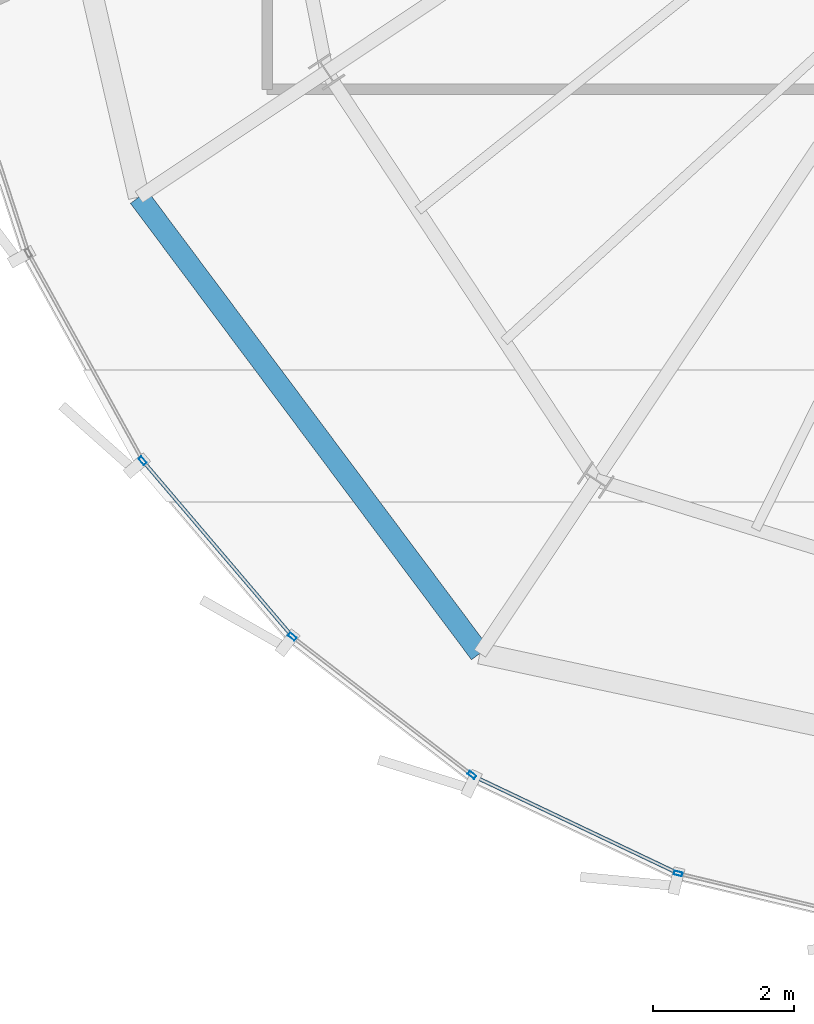
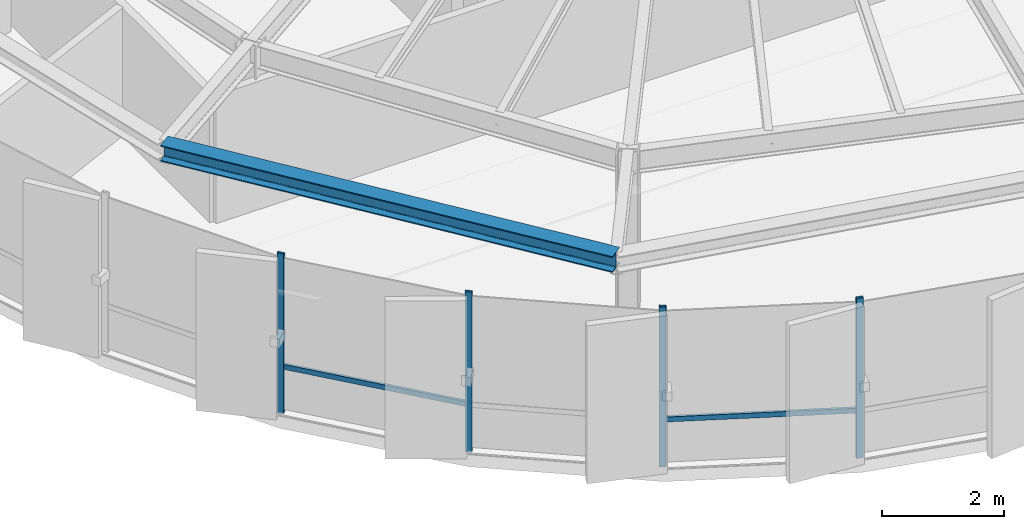
# One storey, part 2 of 31: 6 members, 1 beam, 2 elements without a shape of their own.
"""IFC4 building model written with IfcOpenShell, lengths in metres."""

import ifcopenshell
import ifcopenshell.guid

model = None  # the IFC model being written
_history = None  # IfcOwnerHistory: only IFC2X3 demands one
_inside = {}  # id of a spatial element -> (the spatial element, [elements in it])
_under = {}  # id of a project, library or spatial element -> (it, [spatial elements below it])
_declared = {}  # id of a project -> (the project, [libraries it declares])
_typed = {}  # id of a type object -> (the type object, [elements of that type])
_made_of = {}  # id of a material, layer set ... -> (it, [elements and type objects made of it])


def new_model(schema):
    """Start an empty IFC model of exactly this schema.

    Asked for "IFC4X3", IfcOpenShell would pick the latest addendum, in which some entities
    have other attributes; the version numbers below select the first issue.
    IFC2X3 requires an IfcOwnerHistory on every rooted entity: one is made here for all.
    """
    global model, _history
    if schema == "IFC4X3":
        model = ifcopenshell.file(schema_version=(4, 3, 0, 0))
    else:
        model = ifcopenshell.file(schema=schema)
    _inside.clear()
    _under.clear()
    _declared.clear()
    _typed.clear()
    _made_of.clear()
    _history = None
    if model.schema == "IFC2X3":
        org = make("IfcOrganization", Name="unknown")
        user = make(
            "IfcPersonAndOrganization",
            ThePerson=make("IfcPerson", FamilyName="unknown"),
            TheOrganization=org,
        )
        app = make(
            "IfcApplication",
            ApplicationDeveloper=org,
            Version="unknown",
            ApplicationFullName="unknown",
            ApplicationIdentifier="unknown",
        )
        _history = make(
            "IfcOwnerHistory",
            OwningUser=user,
            OwningApplication=app,
            ChangeAction="ADDED",
            CreationDate=0,
        )
    return model


def make(cls, **values):
    """One entity of the class cls with the attributes given. An attribute that is None is left unset."""
    return model.create_entity(
        cls, **{name: value for name, value in values.items() if value is not None}
    )


def rooted(cls, **values):
    """An entity with a GlobalId (a new one), such as an element, a storey or a relation."""
    return make(cls, GlobalId=ifcopenshell.guid.new(), OwnerHistory=_history, **values)


def si_unit(unit_type, name, prefix=None):
    """IfcSIUnit, for example si_unit("LENGTHUNIT", "METRE", prefix="MILLI")."""
    return make("IfcSIUnit", UnitType=unit_type, Prefix=prefix, Name=name)


def assignment(units):
    """IfcUnitAssignment: the units of a project."""
    return None if units is None else make("IfcUnitAssignment", Units=units)


def point(xyz):
    """IfcCartesianPoint."""
    return None if xyz is None else make("IfcCartesianPoint", Coordinates=xyz)


def direction(xyz):
    """IfcDirection."""
    return None if xyz is None else make("IfcDirection", DirectionRatios=xyz)


def frame(location, z_axis=None, x_axis=None):
    """IfcAxis2Placement3D, a coordinate frame: its origin and axes. An axis left out is left unset."""
    return make(
        "IfcAxis2Placement3D",
        Location=point(location),
        Axis=direction(z_axis),
        RefDirection=direction(x_axis),
    )


def frame_2d(location, x_axis=None):
    """IfcAxis2Placement2D, a coordinate frame in the plane: its origin and x axis."""
    return make(
        "IfcAxis2Placement2D", Location=point(location), RefDirection=direction(x_axis)
    )


def origin():
    """The frame at (0, 0, 0) with its axes left unset."""
    return frame((0.0, 0.0, 0.0))


def origin_2d():
    """The frame at (0, 0) in the plane with its x axis left unset."""
    return frame_2d((0.0, 0.0))


def place(relative_to, where):
    """IfcLocalPlacement: puts the frame where relative to a parent placement (None: the world)."""
    return make(
        "IfcLocalPlacement", PlacementRelTo=relative_to, RelativePlacement=where
    )


def context(
    kind, dimensions, precision=None, world=None, true_north=None, identifier=None
):
    """IfcGeometricRepresentationContext, for example the 3D "Model" context."""
    return make(
        "IfcGeometricRepresentationContext",
        ContextIdentifier=identifier,
        ContextType=kind,
        CoordinateSpaceDimension=dimensions,
        Precision=precision,
        WorldCoordinateSystem=world,
        TrueNorth=true_north,
    )


def subcontext(parent, identifier, kind, view, scale=None):
    """IfcGeometricRepresentationSubContext, for example "Body" below "Model"."""
    return make(
        "IfcGeometricRepresentationSubContext",
        ContextIdentifier=identifier,
        ContextType=kind,
        ParentContext=parent,
        TargetScale=scale,
        TargetView=view,
    )


def project(units=None, contexts=None):
    """IfcProject with its units and contexts."""
    return rooted(
        "IfcProject",
        Name="project",
        RepresentationContexts=contexts,
        UnitsInContext=assignment(units),
    )


def spatial(cls, under=None, at=None, **own):
    """A site, building, storey or space (cls), placed at a placement, below another one or the project."""
    s = rooted(cls, ObjectPlacement=at, **own)
    if under is not None:
        _under.setdefault(under.id(), (under, []))[1].append(s)
    return s


def profile(cls, at=None, kind="AREA", **sizes):
    """A parametric profile (cls). Its sizes go by their IFC names, for example OverallWidth=200.0."""
    return make(cls, ProfileType=kind, Position=at, **sizes)


def hollow_rectangle(**sizes):
    """IfcRectangleHollowProfileDef."""
    return profile("IfcRectangleHollowProfileDef", **sizes)


def i_section(**sizes):
    """IfcIShapeProfileDef."""
    return profile("IfcIShapeProfileDef", **sizes)


def extrude(swept, where, along, depth):
    """IfcExtrudedAreaSolid: the profile swept, set in the frame where, extruded along a direction by depth."""
    return make(
        "IfcExtrudedAreaSolid",
        SweptArea=swept,
        Position=where,
        ExtrudedDirection=direction(along),
        Depth=depth,
    )


def shape(context_of_items, identifier, shape_type, items):
    """IfcShapeRepresentation: the items that make up one representation, for example the "Body"."""
    return make(
        "IfcShapeRepresentation",
        ContextOfItems=context_of_items,
        RepresentationIdentifier=identifier,
        RepresentationType=shape_type,
        Items=items,
    )


def source(mapping_origin, context_of_items, identifier, shape_type, items):
    """IfcRepresentationMap: a shape defined once, which mapped items show again and again."""
    return make(
        "IfcRepresentationMap",
        MappingOrigin=mapping_origin,
        MappedRepresentation=shape(context_of_items, identifier, shape_type, items),
    )


def transform(
    local_origin,
    x_axis=None,
    y_axis=None,
    z_axis=None,
    scale=None,
    scale2=None,
    scale3=None,
    uniform=True,
):
    """IfcCartesianTransformationOperator3D, or its non-uniform kind. x_axis, y_axis, z_axis: its Axis1, 2, 3."""
    if uniform:
        return make(
            "IfcCartesianTransformationOperator3D",
            Axis1=direction(x_axis),
            Axis2=direction(y_axis),
            LocalOrigin=point(local_origin),
            Scale=scale,
            Axis3=direction(z_axis),
        )
    return make(
        "IfcCartesianTransformationOperator3DnonUniform",
        Axis1=direction(x_axis),
        Axis2=direction(y_axis),
        LocalOrigin=point(local_origin),
        Scale=scale,
        Axis3=direction(z_axis),
        Scale2=scale2,
        Scale3=scale3,
    )


def mapped(mapping_source, mapping_target):
    """IfcMappedItem: shows the shape of a source again, moved by a transform."""
    return make(
        "IfcMappedItem", MappingSource=mapping_source, MappingTarget=mapping_target
    )


def material(Name=None, Category=None):
    """IfcMaterial."""
    return make("IfcMaterial", Name=Name, Category=Category)


def layer(
    of_material, thickness, ventilated=None, Name=None, Category=None, Priority=None
):
    """IfcMaterialLayer: one layer of a wall or slab, of a material (None: an air gap)."""
    return make(
        "IfcMaterialLayer",
        Material=of_material,
        LayerThickness=thickness,
        IsVentilated=ventilated,
        Name=Name,
        Category=Category,
        Priority=Priority,
    )


def layer_set(layers, Name=None):
    """IfcMaterialLayerSet."""
    return make("IfcMaterialLayerSet", MaterialLayers=layers, LayerSetName=Name)


def material_profile(
    of_material, cross_section, Name=None, Category=None, Priority=None
):
    """IfcMaterialProfile: a cross section and its material."""
    return make(
        "IfcMaterialProfile",
        Name=Name,
        Material=of_material,
        Profile=cross_section,
        Priority=Priority,
        Category=Category,
    )


def profile_set(profiles, Name=None, composite=None):
    """IfcMaterialProfileSet."""
    return make(
        "IfcMaterialProfileSet",
        Name=Name,
        MaterialProfiles=profiles,
        CompositeProfile=composite,
    )


def made_of(thing, what):
    """Note that an element or type object is made of a material, layer set ...; save() writes the relation."""
    if what is not None:
        _made_of.setdefault(what.id(), (what, []))[1].append(thing)
    return thing


def type_object(cls, material=None, **own):
    """A type object (cls), such as IfcWallType, which elements share."""
    return made_of(rooted(cls, **own), material)


def element(
    cls,
    number,
    at=None,
    inside=None,
    cuts=None,
    type_object=None,
    material=None,
    context=None,
    identifier="Body",
    shape_type=None,
    held_by="IfcProductDefinitionShape",
    body=None,
    shapes=None,
    **own,
):
    """One element of the class cls, such as IfcWall. Its Tag is "e" and its number.

    at: its placement. inside: the storey or other place that contains it. cuts: it is an
    opening in that element (IfcRelVoidsElement). A single representation is given by context,
    identifier, shape_type and body (its items); several are given by shapes. held_by: the class
    of the entity that holds the representations. save() writes the other relations.
    """
    e = rooted(cls, Tag="e%d" % number, ObjectPlacement=at, **own)
    if body is not None:
        shapes = [shape(context, identifier, shape_type, body)]
    if shapes is not None:
        e.Representation = make(held_by, Representations=shapes)
    if inside is not None:
        _inside.setdefault(inside.id(), (inside, []))[1].append(e)
    if cuts is not None:
        rooted(
            "IfcRelVoidsElement", RelatingBuildingElement=cuts, RelatedOpeningElement=e
        )
    if type_object is not None:
        _typed.setdefault(type_object.id(), (type_object, []))[1].append(e)
    return made_of(e, material)


def aggregate(whole, parts):
    """IfcRelAggregates: a whole, such as a stair, and the parts it consists of."""
    return rooted("IfcRelAggregates", RelatingObject=whole, RelatedObjects=parts)


def save(model, path):
    """Write the relations noted so far, then the file.

    IfcRelAggregates (storeys below a building ...), IfcRelContainedInSpatialStructure (elements
    in a storey), IfcRelDefinesByType, IfcRelAssociatesMaterial and IfcRelDeclares: one each for
    every whole, place, type object, material and project.
    """
    for whole, parts in _under.values():
        aggregate(whole, parts)
    for where, things in _inside.values():
        rooted(
            "IfcRelContainedInSpatialStructure",
            RelatedElements=things,
            RelatingStructure=where,
        )
    for kind, things in _typed.values():
        rooted("IfcRelDefinesByType", RelatedObjects=things, RelatingType=kind)
    for what, things in _made_of.values():
        rooted("IfcRelAssociatesMaterial", RelatedObjects=things, RelatingMaterial=what)
    for by, libraries in _declared.values():
        rooted("IfcRelDeclares", RelatingContext=by, RelatedDefinitions=libraries)
    model.write(path)


model = new_model("IFC4")

# Units and contexts
model_context = context("Model", 3, precision=1e-05, world=origin(), true_north=direction((0.0, 1.0)))
body_context = subcontext(model_context, "Body", "Model", "MODEL_VIEW")
ifc_project = project(units=[si_unit("LENGTHUNIT", "METRE"), si_unit("AREAUNIT", "SQUARE_METRE"), si_unit("VOLUMEUNIT", "CUBIC_METRE"), si_unit("PLANEANGLEUNIT", "RADIAN"), si_unit("MASSUNIT", "GRAM", prefix="KILO"), si_unit("THERMODYNAMICTEMPERATUREUNIT", "KELVIN")], contexts=[model_context])

# Site, building, storey
site_placement = place(None, origin())
site = spatial("IfcSite", under=ifc_project, at=site_placement, CompositionType="ELEMENT")
building_placement = place(site_placement, origin())
building = spatial("IfcBuilding", under=site, at=building_placement, Name="Kethvar Cultural Tower", CompositionType="ELEMENT")
storey_placement = place(building_placement, frame((0.0, 0.0, 269.800048828125)))
storey = spatial("IfcBuildingStorey", under=building, at=storey_placement, Name="L71", CompositionType="ELEMENT", Elevation=269.800048828125)

# Beam
ifc_material_1 = material(Name="Steel S355J2", Category="steel")
ifc_material_profile_1 = material_profile(ifc_material_1, i_section(OverallWidth=0.300048828125, OverallDepth=0.320068359375, WebThickness=0.011474609375, FlangeThickness=0.0205078125, FilletRadius=0.027099609375, at=origin_2d()), Name="Steel S355J2 — HEB320")
ifc_profile_set_1 = profile_set([ifc_material_profile_1], Name="Steel S355J2 — HEB320")
beam_type = type_object("IfcBeamType", Name="BM-SP320", PredefinedType="SPANDREL", material=ifc_profile_set_1)
shared_shape_1 = source(origin(), body_context, "Body", "SweptSolid", [
    extrude(i_section(OverallWidth=0.300048828125, OverallDepth=0.320068359375, WebThickness=0.011474609375, FlangeThickness=0.0205078125, FilletRadius=0.027099609375, at=origin_2d()), origin(), (0.0, 0.0, 1.0), 8.078857421875),
])
beam_placement = place(storey_placement, frame((30.252197265625, 16.7431640625, 3.0478515625), z_axis=(0.598567819947, -0.801072134657, 0.0), x_axis=(0.801072134657, 0.598567819947, 0.0)))
element("IfcBeam", 1, at=beam_placement, inside=storey, type_object=beam_type, Name="L71 Perimeter Spandrel Beam SP-10", PredefinedType="SPANDREL", context=body_context, shape_type="MappedRepresentation", body=[
    mapped(shared_shape_1, transform((0.0, 0.0, 0.0), scale=1.0)),
])

# Curtain wall, members
ifc_material_2 = material(Name="Aluminium 6063-T6", Category="aluminium")
ifc_layer = layer(ifc_material_2, 0.179931640625, Name="Aluminium 6063-T6", Category="aluminium")
ifc_layer_set = layer_set([ifc_layer], Name="Aluminium 6063-T6 (180 mm)")
curtain_wall_type = type_object("IfcCurtainWallType", Name="CW-SYS-05-Z56", PredefinedType="NOTDEFINED", material=ifc_layer_set)
curtain_wall_1_placement = place(storey_placement, origin())
curtain_wall_1 = element("IfcCurtainWall", 2, at=curtain_wall_1_placement, inside=storey, type_object=curtain_wall_type, Name="L71 Curtain Wall Run 03", PredefinedType="NOTDEFINED")
ifc_material_profile_2 = material_profile(ifc_material_2, hollow_rectangle(XDim=0.054931640625, YDim=0.1201171875, WallThickness=0.00390625, at=origin_2d()), Name="Aluminium 6063-T6 — RHS120x55x4")
ifc_profile_set_2 = profile_set([ifc_material_profile_2], Name="Aluminium 6063-T6 — RHS120x55x4")
member_type_1 = type_object("IfcMemberType", Name="CW-SYS-05-Z56-MUL", PredefinedType="MULLION", material=ifc_profile_set_2)
shared_shape_2 = source(origin(), body_context, "Body", "SweptSolid", [
    extrude(hollow_rectangle(XDim=0.054931640625, YDim=0.1201171875, WallThickness=0.00390625, at=origin_2d()), origin(), (0.0, 0.0, 1.0), 3.2099609375),
])
member_1_placement = place(storey_placement, frame((30.305908203125, 13.004150390625, 0.0), z_axis=(0.0, 0.0, 1.0), x_axis=(0.761549619247, 0.648106609614, 0.0)))
member_1 = element("IfcMember", 3, at=member_1_placement, type_object=member_type_1, Name="CW-L71-R03 Mullion 5", PredefinedType="MULLION", context=body_context, shape_type="MappedRepresentation", body=[
    mapped(shared_shape_2, transform((0.0, 0.0, 0.0), scale=1.0)),
])
member_2_placement = place(storey_placement, frame((32.4267578125, 10.508544921875, 0.0), z_axis=(0.0, 0.0, 1.0), x_axis=(0.610034533451, 0.792374827968, 0.0)))
member_2 = element("IfcMember", 4, at=member_2_placement, type_object=member_type_1, Name="CW-L71-R03 Mullion 6", PredefinedType="MULLION", context=body_context, shape_type="MappedRepresentation", body=[
    mapped(shared_shape_2, transform((0.0, 0.0, 0.0), scale=1.0)),
])
member_3_placement = place(storey_placement, frame((34.97314453125, 8.548095703125, 0.0), z_axis=(0.0, 0.0, 1.0), x_axis=(0.610034533451, 0.792374827968, 0.0)))
member_3 = element("IfcMember", 5, at=member_3_placement, type_object=member_type_1, Name="CW-L71-R03 Mullion 7", PredefinedType="MULLION", context=body_context, shape_type="MappedRepresentation", body=[
    mapped(shared_shape_2, transform((0.0, 0.0, 0.0), scale=1.0)),
])

# Curtain wall, member
curtain_wall_2_placement = place(storey_placement, origin())
curtain_wall_2 = element("IfcCurtainWall", 6, at=curtain_wall_2_placement, inside=storey, type_object=curtain_wall_type, Name="L71 Curtain Wall Run 04", PredefinedType="NOTDEFINED")
member_4_placement = place(storey_placement, frame((37.898681640625, 7.150146484375, 0.0), z_axis=(0.0, 0.0, 1.0), x_axis=(0.231764881601, 0.972771833297, 0.0)))
member_4 = element("IfcMember", 7, at=member_4_placement, type_object=member_type_1, Name="CW-L71-R04 Mullion 2", PredefinedType="MULLION", context=body_context, shape_type="MappedRepresentation", body=[
    mapped(shared_shape_2, transform((0.0, 0.0, 0.0), scale=1.0)),
])

# Member
ifc_material_profile_3 = material_profile(ifc_material_2, hollow_rectangle(XDim=0.050048828125, YDim=0.10009765625, WallThickness=0.00390625, at=origin_2d()), Name="Aluminium 6063-T6 — RHS100x50x4")
ifc_profile_set_3 = profile_set([ifc_material_profile_3], Name="Aluminium 6063-T6 — RHS100x50x4")
member_type_2 = type_object("IfcMemberType", Name="CW-SYS-05-Z56-TRN", PredefinedType="USERDEFINED", material=ifc_profile_set_3)
shared_shape_3 = source(origin(), body_context, "Body", "SweptSolid", [
    extrude(hollow_rectangle(XDim=0.050048828125, YDim=0.10009765625, WallThickness=0.00390625, at=origin_2d()), origin(), (0.0, 0.0, 1.0), 3.216796875),
])
member_5_placement = place(storey_placement, frame((30.331298828125, 12.97412109375, 0.949951171875), z_axis=(0.648137358827, -0.76152344947, 0.0), x_axis=(0.76152344947, 0.648137358827, 0.0)))
member_5 = element("IfcMember", 8, at=member_5_placement, type_object=member_type_2, Name="CW-L71-R03 Transom 5", ObjectType="TRANSOM", PredefinedType="USERDEFINED", context=body_context, shape_type="MappedRepresentation", body=[
    mapped(shared_shape_3, transform((0.0, 0.0, 0.0), scale=1.0)),
])

aggregate(curtain_wall_1, [member_1, member_2, member_3, member_5])

shared_shape_4 = source(origin(), body_context, "Body", "SweptSolid", [
    extrude(hollow_rectangle(XDim=0.050048828125, YDim=0.10009765625, WallThickness=0.00390625, at=origin_2d()), origin(), (0.0, 0.0, 1.0), 3.170166015625),
])
member_6_placement = place(storey_placement, frame((35.019287109375, 8.5205078125, 0.949951171875), z_axis=(0.903255864872, -0.429102368409, 0.0), x_axis=(0.429102368409, 0.903255864872, 0.0)))
member_6 = element("IfcMember", 9, at=member_6_placement, type_object=member_type_2, Name="CW-L71-R04 Transom 1", ObjectType="TRANSOM", PredefinedType="USERDEFINED", context=body_context, shape_type="MappedRepresentation", body=[
    mapped(shared_shape_4, transform((0.0, 0.0, 0.0), scale=1.0)),
])

aggregate(curtain_wall_2, [member_4, member_6])

save(model, "model.ifc")
